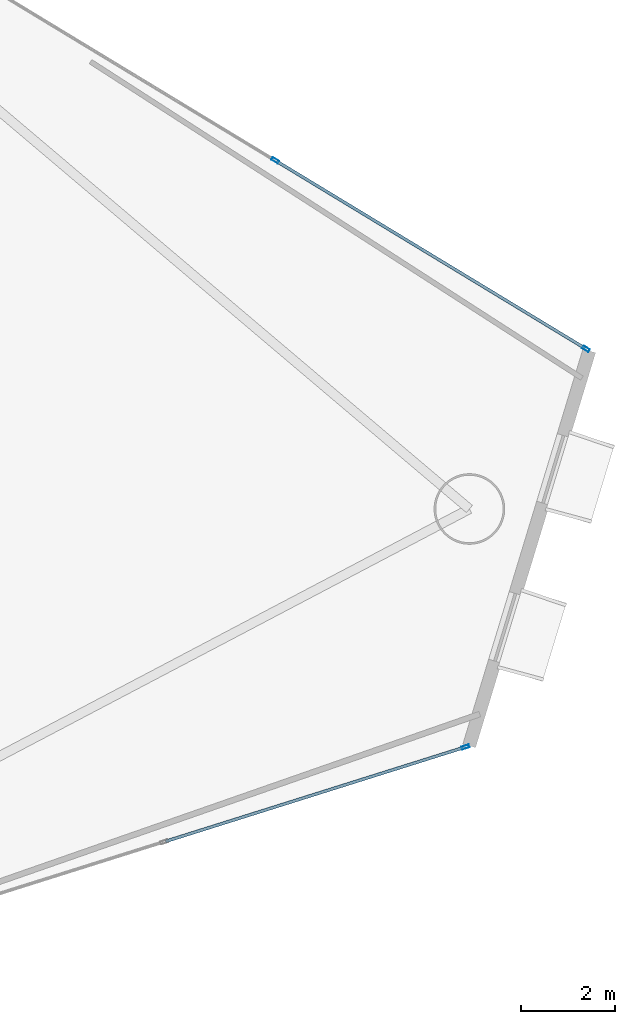
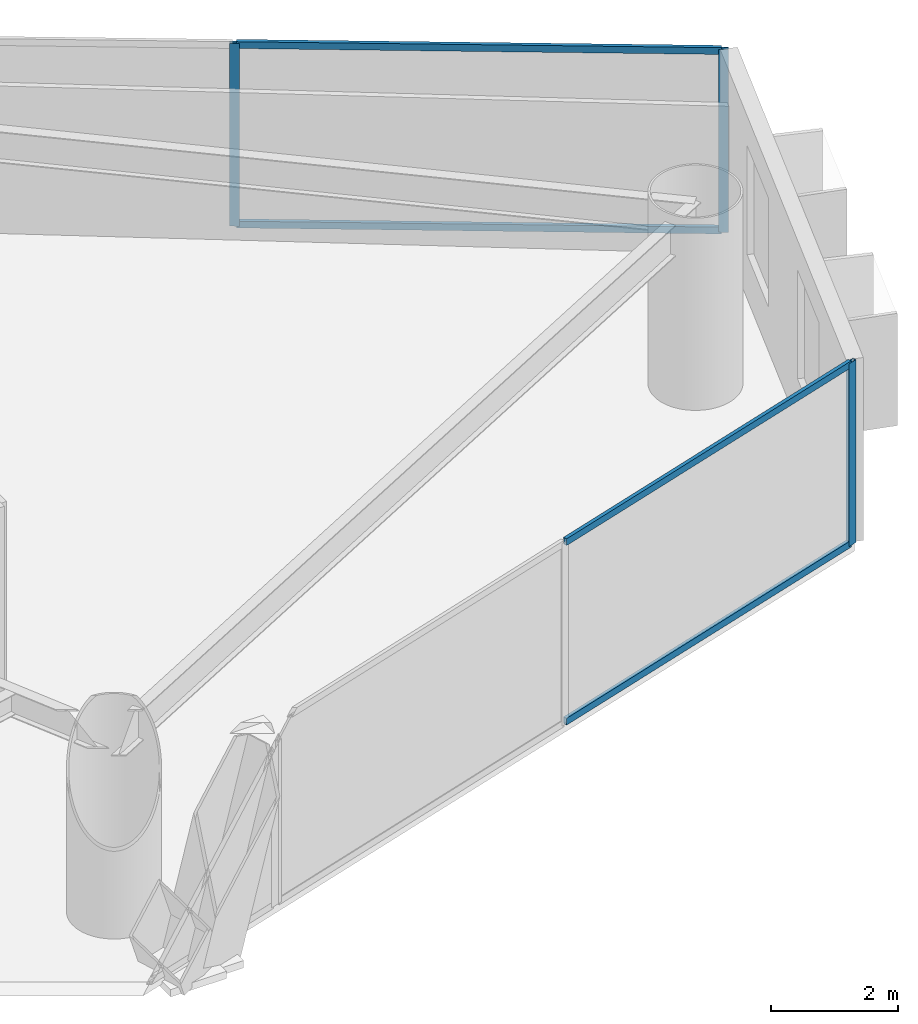
# One storey, part 11 of 18: 7 members, 2 elements without a shape of their own.
"""IFC4 building model written with IfcOpenShell, lengths in metres."""

from ifc_helpers import new_model, si_unit, direction, frame, origin, origin_2d, place, context, subcontext, project, spatial, hollow_rectangle, extrude, material, layer, layer_set, material_profile, profile_set, type_object, element, aggregate, save


model = new_model("IFC4")

# Units and contexts
model_context = context("Model", 3, precision=1e-05, world=origin(), true_north=direction((0.0, 1.0)))
body_context = subcontext(model_context, "Body", "Model", "MODEL_VIEW")
ifc_project = project(units=[si_unit("LENGTHUNIT", "METRE"), si_unit("AREAUNIT", "SQUARE_METRE"), si_unit("VOLUMEUNIT", "CUBIC_METRE"), si_unit("PLANEANGLEUNIT", "RADIAN"), si_unit("MASSUNIT", "GRAM", prefix="KILO")], contexts=[model_context])

# Site, building, storey
site_placement = place(None, origin())
site = spatial("IfcSite", under=ifc_project, at=site_placement, CompositionType="ELEMENT")
building_placement = place(site_placement, origin())
building = spatial("IfcBuilding", under=site, at=building_placement, Name="Qianvela Tower", CompositionType="ELEMENT")
storey_placement = place(building_placement, frame((0.0, 0.0, 116.300048828125)))
storey = spatial("IfcBuildingStorey", under=building, at=storey_placement, Name="L29", CompositionType="ELEMENT", Elevation=116.300048828125)

# Curtain wall, members
ifc_material_1 = material(Name="Anodised Architectural Aluminium and Low-E Glass", Category="aluminium")
ifc_layer = layer(ifc_material_1, 0.169921875)
ifc_layer_set = layer_set([ifc_layer], Name="Anodised Architectural Aluminium and Low-E Glass")
curtain_wall_type = type_object("IfcCurtainWallType", Name="CW-COLIV-Z34", PredefinedType="USERDEFINED", material=ifc_layer_set)
curtain_wall_1_placement = place(storey_placement, origin())
curtain_wall_1 = element("IfcCurtainWall", 1, at=curtain_wall_1_placement, inside=storey, type_object=curtain_wall_type, Name="L29 CW-COLIV-Z34 Curtain Wall 02A", ObjectType="CURTAIN_WALL_SYSTEM", PredefinedType="USERDEFINED")
ifc_material_2 = material(Name="Anodised Architectural Aluminium 6063-T6", Category="aluminium")
ifc_material_profile_1 = material_profile(ifc_material_2, hollow_rectangle(XDim=0.06494140625, YDim=0.159912109375, WallThickness=0.0048828125, at=origin_2d()), Name="ALU-MULL-65x160")
ifc_profile_set_1 = profile_set([ifc_material_profile_1], Name="Anodised Architectural Aluminium 6063-T6")
member_type_1 = type_object("IfcMemberType", Name="CW-COLIV-Z34-MULL", PredefinedType="MULLION", material=ifc_profile_set_1)
member_1_placement = place(storey_placement, frame((59.667724609375, 27.3564453125, 0.0), z_axis=(0.0, 0.0, 1.0), x_axis=(-0.518523038437, -0.855063657636, 0.0)))
member_1 = element("IfcMember", 2, at=member_1_placement, type_object=member_type_1, Name="CW-4 mullion 1", PredefinedType="MULLION", context=body_context, shape_type="SweptSolid", body=[
    extrude(hollow_rectangle(XDim=0.06494140625, YDim=0.159912109375, WallThickness=0.0048828125, at=origin_2d()), origin(), (0.0, 0.0, 1.0), 3.52001953125),
])
member_2_placement = place(storey_placement, frame((53.072998046875, 31.35546875, 0.0), z_axis=(0.0, 0.0, 1.0), x_axis=(-0.518523038437, -0.855063657636, 0.0)))
member_2 = element("IfcMember", 3, at=member_2_placement, type_object=member_type_1, Name="CW-4 mullion 2", PredefinedType="MULLION", context=body_context, shape_type="SweptSolid", body=[
    extrude(hollow_rectangle(XDim=0.06494140625, YDim=0.159912109375, WallThickness=0.0048828125, at=origin_2d()), origin(), (0.0, 0.0, 1.0), 3.52001953125),
])

# Curtain wall, member
curtain_wall_2_placement = place(storey_placement, origin())
curtain_wall_2 = element("IfcCurtainWall", 4, at=curtain_wall_2_placement, inside=storey, type_object=curtain_wall_type, Name="L29 CW-COLIV-Z34 Curtain Wall 06C", ObjectType="CURTAIN_WALL_SYSTEM", PredefinedType="USERDEFINED")
member_3_placement = place(storey_placement, frame((57.1123046875, 18.9072265625, 0.0), z_axis=(0.0, 0.0, 1.0), x_axis=(-0.300261366024, 0.953856966255, 0.0)))
member_3 = element("IfcMember", 5, at=member_3_placement, type_object=member_type_1, Name="CW-4 mullion 3", PredefinedType="MULLION", context=body_context, shape_type="SweptSolid", body=[
    extrude(hollow_rectangle(XDim=0.06494140625, YDim=0.159912109375, WallThickness=0.0048828125, at=origin_2d()), origin(), (0.0, 0.0, 1.0), 3.52001953125),
])

# Member
ifc_material_3 = material(Name="Anodised Architectural Aluminium 6063-T6", Category="aluminium")
ifc_material_profile_2 = material_profile(ifc_material_3, hollow_rectangle(XDim=0.06494140625, YDim=0.1298828125, WallThickness=0.00439453125, at=origin_2d()), Name="ALU-TRAN-65x130")
ifc_profile_set_2 = profile_set([ifc_material_profile_2], Name="Anodised Architectural Aluminium 6063-T6")
member_type_2 = type_object("IfcMemberType", Name="CW-COLIV-Z34-TRAN", PredefinedType="USERDEFINED", material=ifc_profile_set_2)
member_4_placement = place(storey_placement, frame((59.639892578125, 27.373291015625, 0.032470703125), z_axis=(-0.855066589831, 0.518518203108, 0.0), x_axis=(-0.518518203108, -0.855066589831, 0.0)))
member_4 = element("IfcMember", 6, at=member_4_placement, type_object=member_type_2, Name="CW-4 transom 1.1", ObjectType="TRANSOM", PredefinedType="USERDEFINED", context=body_context, shape_type="SweptSolid", body=[
    extrude(hollow_rectangle(XDim=0.06494140625, YDim=0.1298828125, WallThickness=0.00439453125, at=origin_2d()), origin(), (0.0, 0.0, 1.0), 7.6474609375),
])

member_5_placement = place(storey_placement, frame((59.639892578125, 27.373291015625, 3.487548828125), z_axis=(-0.855066589831, 0.518518203108, 0.0), x_axis=(-0.518518203108, -0.855066589831, 0.0)))
member_5 = element("IfcMember", 7, at=member_5_placement, type_object=member_type_2, Name="CW-4 transom 1.2", ObjectType="TRANSOM", PredefinedType="USERDEFINED", context=body_context, shape_type="SweptSolid", body=[
    extrude(hollow_rectangle(XDim=0.06494140625, YDim=0.1298828125, WallThickness=0.00439453125, at=origin_2d()), origin(), (0.0, 0.0, 1.0), 7.6474609375),
])

aggregate(curtain_wall_1, [member_1, member_2, member_4, member_5])

member_6_placement = place(storey_placement, frame((50.748291015625, 16.90380859375, 0.032470703125), z_axis=(0.953852371388, 0.300275962404, 0.0), x_axis=(-0.300275962404, 0.953852371388, 0.0)))
member_6 = element("IfcMember", 8, at=member_6_placement, type_object=member_type_2, Name="CW-4 transom 2.1", ObjectType="TRANSOM", PredefinedType="USERDEFINED", context=body_context, shape_type="SweptSolid", body=[
    extrude(hollow_rectangle(XDim=0.06494140625, YDim=0.1298828125, WallThickness=0.00439453125, at=origin_2d()), origin(), (0.0, 0.0, 1.0), 6.639404296875),
])

member_7_placement = place(storey_placement, frame((50.748291015625, 16.90380859375, 3.487548828125), z_axis=(0.953852371388, 0.300275962404, 0.0), x_axis=(-0.300275962404, 0.953852371388, 0.0)))
member_7 = element("IfcMember", 9, at=member_7_placement, type_object=member_type_2, Name="CW-4 transom 2.2", ObjectType="TRANSOM", PredefinedType="USERDEFINED", context=body_context, shape_type="SweptSolid", body=[
    extrude(hollow_rectangle(XDim=0.06494140625, YDim=0.1298828125, WallThickness=0.00439453125, at=origin_2d()), origin(), (0.0, 0.0, 1.0), 6.639404296875),
])

aggregate(curtain_wall_2, [member_3, member_6, member_7])

save(model, "model.ifc")
